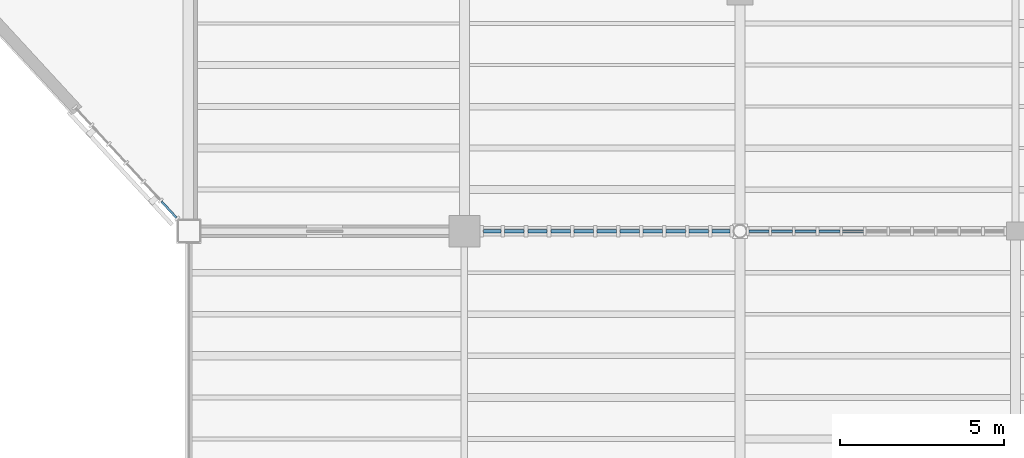
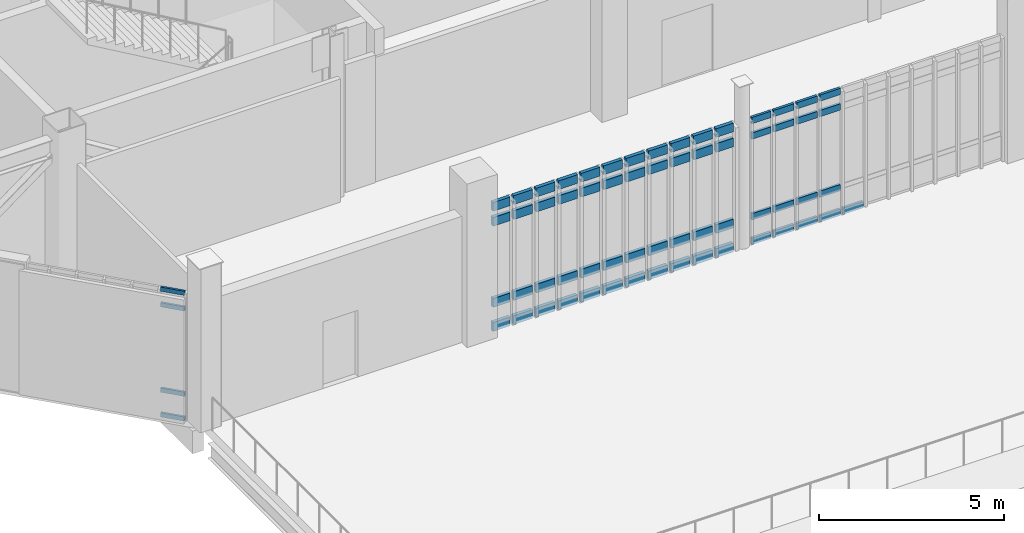
# One storey, part 45 of 127: 65 members, 3 elements without a shape of their own.
"""IFC4 building model written with IfcOpenShell, lengths in metres."""

import ifcopenshell
import ifcopenshell.guid

model = None  # the IFC model being written
_history = None  # IfcOwnerHistory: only IFC2X3 demands one
_inside = {}  # id of a spatial element -> (the spatial element, [elements in it])
_under = {}  # id of a project, library or spatial element -> (it, [spatial elements below it])
_declared = {}  # id of a project -> (the project, [libraries it declares])
_typed = {}  # id of a type object -> (the type object, [elements of that type])
_made_of = {}  # id of a material, layer set ... -> (it, [elements and type objects made of it])


def new_model(schema):
    """Start an empty IFC model of exactly this schema.

    Asked for "IFC4X3", IfcOpenShell would pick the latest addendum, in which some entities
    have other attributes; the version numbers below select the first issue.
    IFC2X3 requires an IfcOwnerHistory on every rooted entity: one is made here for all.
    """
    global model, _history
    if schema == "IFC4X3":
        model = ifcopenshell.file(schema_version=(4, 3, 0, 0))
    else:
        model = ifcopenshell.file(schema=schema)
    _inside.clear()
    _under.clear()
    _declared.clear()
    _typed.clear()
    _made_of.clear()
    _history = None
    if model.schema == "IFC2X3":
        org = make("IfcOrganization", Name="unknown")
        user = make(
            "IfcPersonAndOrganization",
            ThePerson=make("IfcPerson", FamilyName="unknown"),
            TheOrganization=org,
        )
        app = make(
            "IfcApplication",
            ApplicationDeveloper=org,
            Version="unknown",
            ApplicationFullName="unknown",
            ApplicationIdentifier="unknown",
        )
        _history = make(
            "IfcOwnerHistory",
            OwningUser=user,
            OwningApplication=app,
            ChangeAction="ADDED",
            CreationDate=0,
        )
    return model


def make(cls, **values):
    """One entity of the class cls with the attributes given. An attribute that is None is left unset."""
    return model.create_entity(
        cls, **{name: value for name, value in values.items() if value is not None}
    )


def rooted(cls, **values):
    """An entity with a GlobalId (a new one), such as an element, a storey or a relation."""
    return make(cls, GlobalId=ifcopenshell.guid.new(), OwnerHistory=_history, **values)


def si_unit(unit_type, name, prefix=None):
    """IfcSIUnit, for example si_unit("LENGTHUNIT", "METRE", prefix="MILLI")."""
    return make("IfcSIUnit", UnitType=unit_type, Prefix=prefix, Name=name)


def assignment(units):
    """IfcUnitAssignment: the units of a project."""
    return None if units is None else make("IfcUnitAssignment", Units=units)


def point(xyz):
    """IfcCartesianPoint."""
    return None if xyz is None else make("IfcCartesianPoint", Coordinates=xyz)


def direction(xyz):
    """IfcDirection."""
    return None if xyz is None else make("IfcDirection", DirectionRatios=xyz)


def frame(location, z_axis=None, x_axis=None):
    """IfcAxis2Placement3D, a coordinate frame: its origin and axes. An axis left out is left unset."""
    return make(
        "IfcAxis2Placement3D",
        Location=point(location),
        Axis=direction(z_axis),
        RefDirection=direction(x_axis),
    )


def frame_2d(location, x_axis=None):
    """IfcAxis2Placement2D, a coordinate frame in the plane: its origin and x axis."""
    return make(
        "IfcAxis2Placement2D", Location=point(location), RefDirection=direction(x_axis)
    )


def origin():
    """The frame at (0, 0, 0) with its axes left unset."""
    return frame((0.0, 0.0, 0.0))


def origin_2d():
    """The frame at (0, 0) in the plane with its x axis left unset."""
    return frame_2d((0.0, 0.0))


def place(relative_to, where):
    """IfcLocalPlacement: puts the frame where relative to a parent placement (None: the world)."""
    return make(
        "IfcLocalPlacement", PlacementRelTo=relative_to, RelativePlacement=where
    )


def context(
    kind, dimensions, precision=None, world=None, true_north=None, identifier=None
):
    """IfcGeometricRepresentationContext, for example the 3D "Model" context."""
    return make(
        "IfcGeometricRepresentationContext",
        ContextIdentifier=identifier,
        ContextType=kind,
        CoordinateSpaceDimension=dimensions,
        Precision=precision,
        WorldCoordinateSystem=world,
        TrueNorth=true_north,
    )


def subcontext(parent, identifier, kind, view, scale=None):
    """IfcGeometricRepresentationSubContext, for example "Body" below "Model"."""
    return make(
        "IfcGeometricRepresentationSubContext",
        ContextIdentifier=identifier,
        ContextType=kind,
        ParentContext=parent,
        TargetScale=scale,
        TargetView=view,
    )


def project(units=None, contexts=None):
    """IfcProject with its units and contexts."""
    return rooted(
        "IfcProject",
        Name="project",
        RepresentationContexts=contexts,
        UnitsInContext=assignment(units),
    )


def spatial(cls, under=None, at=None, **own):
    """A site, building, storey or space (cls), placed at a placement, below another one or the project."""
    s = rooted(cls, ObjectPlacement=at, **own)
    if under is not None:
        _under.setdefault(under.id(), (under, []))[1].append(s)
    return s


def profile(cls, at=None, kind="AREA", **sizes):
    """A parametric profile (cls). Its sizes go by their IFC names, for example OverallWidth=200.0."""
    return make(cls, ProfileType=kind, Position=at, **sizes)


def rectangle(**sizes):
    """IfcRectangleProfileDef."""
    return profile("IfcRectangleProfileDef", **sizes)


def extrude(swept, where, along, depth):
    """IfcExtrudedAreaSolid: the profile swept, set in the frame where, extruded along a direction by depth."""
    return make(
        "IfcExtrudedAreaSolid",
        SweptArea=swept,
        Position=where,
        ExtrudedDirection=direction(along),
        Depth=depth,
    )


def shape(context_of_items, identifier, shape_type, items):
    """IfcShapeRepresentation: the items that make up one representation, for example the "Body"."""
    return make(
        "IfcShapeRepresentation",
        ContextOfItems=context_of_items,
        RepresentationIdentifier=identifier,
        RepresentationType=shape_type,
        Items=items,
    )


def material(Name=None, Category=None):
    """IfcMaterial."""
    return make("IfcMaterial", Name=Name, Category=Category)


def material_profile(
    of_material, cross_section, Name=None, Category=None, Priority=None
):
    """IfcMaterialProfile: a cross section and its material."""
    return make(
        "IfcMaterialProfile",
        Name=Name,
        Material=of_material,
        Profile=cross_section,
        Priority=Priority,
        Category=Category,
    )


def profile_set(profiles, Name=None, composite=None):
    """IfcMaterialProfileSet."""
    return make(
        "IfcMaterialProfileSet",
        Name=Name,
        MaterialProfiles=profiles,
        CompositeProfile=composite,
    )


def made_of(thing, what):
    """Note that an element or type object is made of a material, layer set ...; save() writes the relation."""
    if what is not None:
        _made_of.setdefault(what.id(), (what, []))[1].append(thing)
    return thing


def type_object(cls, material=None, **own):
    """A type object (cls), such as IfcWallType, which elements share."""
    return made_of(rooted(cls, **own), material)


def element(
    cls,
    number,
    at=None,
    inside=None,
    cuts=None,
    type_object=None,
    material=None,
    context=None,
    identifier="Body",
    shape_type=None,
    held_by="IfcProductDefinitionShape",
    body=None,
    shapes=None,
    **own,
):
    """One element of the class cls, such as IfcWall. Its Tag is "e" and its number.

    at: its placement. inside: the storey or other place that contains it. cuts: it is an
    opening in that element (IfcRelVoidsElement). A single representation is given by context,
    identifier, shape_type and body (its items); several are given by shapes. held_by: the class
    of the entity that holds the representations. save() writes the other relations.
    """
    e = rooted(cls, Tag="e%d" % number, ObjectPlacement=at, **own)
    if body is not None:
        shapes = [shape(context, identifier, shape_type, body)]
    if shapes is not None:
        e.Representation = make(held_by, Representations=shapes)
    if inside is not None:
        _inside.setdefault(inside.id(), (inside, []))[1].append(e)
    if cuts is not None:
        rooted(
            "IfcRelVoidsElement", RelatingBuildingElement=cuts, RelatedOpeningElement=e
        )
    if type_object is not None:
        _typed.setdefault(type_object.id(), (type_object, []))[1].append(e)
    return made_of(e, material)


def aggregate(whole, parts):
    """IfcRelAggregates: a whole, such as a stair, and the parts it consists of."""
    return rooted("IfcRelAggregates", RelatingObject=whole, RelatedObjects=parts)


def save(model, path):
    """Write the relations noted so far, then the file.

    IfcRelAggregates (storeys below a building ...), IfcRelContainedInSpatialStructure (elements
    in a storey), IfcRelDefinesByType, IfcRelAssociatesMaterial and IfcRelDeclares: one each for
    every whole, place, type object, material and project.
    """
    for whole, parts in _under.values():
        aggregate(whole, parts)
    for where, things in _inside.values():
        rooted(
            "IfcRelContainedInSpatialStructure",
            RelatedElements=things,
            RelatingStructure=where,
        )
    for kind, things in _typed.values():
        rooted("IfcRelDefinesByType", RelatedObjects=things, RelatingType=kind)
    for what, things in _made_of.values():
        rooted("IfcRelAssociatesMaterial", RelatedObjects=things, RelatingMaterial=what)
    for by, libraries in _declared.values():
        rooted("IfcRelDeclares", RelatingContext=by, RelatedDefinitions=libraries)
    model.write(path)


model = new_model("IFC4")

# Units and contexts
model_context = context("Model", 3, precision=1e-05, world=origin(), true_north=direction((0.0, 1.0)))
body_context = subcontext(model_context, "Body", "Model", "MODEL_VIEW")
ifc_project = project(units=[si_unit("LENGTHUNIT", "METRE"), si_unit("AREAUNIT", "SQUARE_METRE"), si_unit("VOLUMEUNIT", "CUBIC_METRE"), si_unit("PLANEANGLEUNIT", "RADIAN"), si_unit("MASSUNIT", "GRAM", prefix="KILO")], contexts=[model_context])

# Site, building, storey
site_placement = place(None, origin())
site = spatial("IfcSite", under=ifc_project, at=site_placement, CompositionType="ELEMENT")
building_placement = place(site_placement, origin())
building = spatial("IfcBuilding", under=site, at=building_placement, Name="Larkvane Passage Sports Hall", CompositionType="ELEMENT")
storey_placement = place(building_placement, frame((0.0, 0.0, 5.39990234375)))
storey = spatial("IfcBuildingStorey", under=building, at=storey_placement, Name="L01", CompositionType="ELEMENT", Elevation=5.39990234375)

# Curtain wall, members
ifc_material_1 = material(Name="Thermally broken aluminium and low-E glazing", Category="aluminium")
curtain_wall_type_1 = type_object("IfcCurtainWallType", Name="CW-CLINIC", PredefinedType="USERDEFINED", material=ifc_material_1)
curtain_wall_1_placement = place(storey_placement, origin())
curtain_wall_1 = element("IfcCurtainWall", 1, at=curtain_wall_1_placement, inside=storey, type_object=curtain_wall_type_1, Name="Curtain wall CW5-L01-031", ObjectType="UNITISED CURTAIN WALL", PredefinedType="USERDEFINED")
ifc_material_2 = material(Name="Anodised aluminium 6063-T6", Category="aluminium")
ifc_material_profile_1 = material_profile(ifc_material_2, rectangle(XDim=0.110107421875, YDim=0.2900390625, at=origin_2d()), Name="ALU-TRN-110x290")
ifc_profile_set_1 = profile_set([ifc_material_profile_1], Name="Anodised aluminium 6063-T6")
member_type_1 = type_object("IfcMemberType", Name="CW-TRN-110x290", PredefinedType="USERDEFINED", material=ifc_profile_set_1)
member_1_placement = place(storey_placement, frame((51.290771484375, 15.199951171875, 0.05517578125), z_axis=(-1.0, 0.0, 0.0), x_axis=(0.0, -1.0, 0.0)))
member_1 = element("IfcMember", 2, at=member_1_placement, type_object=member_type_1, Name="CW-05 transom 1.1", ObjectType="TRANSOM", PredefinedType="USERDEFINED", context=body_context, shape_type="SweptSolid", body=[
    extrude(rectangle(XDim=0.110107421875, YDim=0.2900390625, at=origin_2d()), origin(), (0.0, 0.0, 1.0), 0.53759765625),
])
member_2_placement = place(storey_placement, frame((51.290771484375, 15.199951171875, 0.85009765625), z_axis=(-1.0, 0.0, 0.0), x_axis=(0.0, -1.0, 0.0)))
member_2 = element("IfcMember", 3, at=member_2_placement, type_object=member_type_1, Name="CW-05 transom 1.2", ObjectType="TRANSOM", PredefinedType="USERDEFINED", context=body_context, shape_type="SweptSolid", body=[
    extrude(rectangle(XDim=0.110107421875, YDim=0.2900390625, at=origin_2d()), origin(), (0.0, 0.0, 1.0), 0.53759765625),
])
member_3_placement = place(storey_placement, frame((51.290771484375, 15.199951171875, 3.528076171875), z_axis=(-1.0, 0.0, 0.0), x_axis=(0.0, -1.0, 0.0)))
member_3 = element("IfcMember", 4, at=member_3_placement, type_object=member_type_1, Name="CW-05 transom 1.3", ObjectType="TRANSOM", PredefinedType="USERDEFINED", context=body_context, shape_type="SweptSolid", body=[
    extrude(rectangle(XDim=0.110107421875, YDim=0.2900390625, at=origin_2d()), origin(), (0.0, 0.0, 1.0), 0.53759765625),
])
member_4_placement = place(storey_placement, frame((51.290771484375, 15.199951171875, 4.023193359375), z_axis=(-1.0, 0.0, 0.0), x_axis=(0.0, -1.0, 0.0)))
member_4 = element("IfcMember", 5, at=member_4_placement, type_object=member_type_1, Name="CW-05 transom 1.4", ObjectType="TRANSOM", PredefinedType="USERDEFINED", context=body_context, shape_type="SweptSolid", body=[
    extrude(rectangle(XDim=0.110107421875, YDim=0.2900390625, at=origin_2d()), origin(), (0.0, 0.0, 1.0), 0.53759765625),
])
member_5_placement = place(storey_placement, frame((50.64306640625, 15.199951171875, 0.05517578125), z_axis=(-1.0, 0.0, 0.0), x_axis=(0.0, -1.0, 0.0)))
member_5 = element("IfcMember", 6, at=member_5_placement, type_object=member_type_1, Name="CW-05 transom 2.1", ObjectType="TRANSOM", PredefinedType="USERDEFINED", context=body_context, shape_type="SweptSolid", body=[
    extrude(rectangle(XDim=0.110107421875, YDim=0.2900390625, at=origin_2d()), origin(), (0.0, 0.0, 1.0), 0.5927734375),
])
member_6_placement = place(storey_placement, frame((50.64306640625, 15.199951171875, 0.85009765625), z_axis=(-1.0, 0.0, 0.0), x_axis=(0.0, -1.0, 0.0)))
member_6 = element("IfcMember", 7, at=member_6_placement, type_object=member_type_1, Name="CW-05 transom 2.2", ObjectType="TRANSOM", PredefinedType="USERDEFINED", context=body_context, shape_type="SweptSolid", body=[
    extrude(rectangle(XDim=0.110107421875, YDim=0.2900390625, at=origin_2d()), origin(), (0.0, 0.0, 1.0), 0.5927734375),
])
member_7_placement = place(storey_placement, frame((50.64306640625, 15.199951171875, 3.528076171875), z_axis=(-1.0, 0.0, 0.0), x_axis=(0.0, -1.0, 0.0)))
member_7 = element("IfcMember", 8, at=member_7_placement, type_object=member_type_1, Name="CW-05 transom 2.3", ObjectType="TRANSOM", PredefinedType="USERDEFINED", context=body_context, shape_type="SweptSolid", body=[
    extrude(rectangle(XDim=0.110107421875, YDim=0.2900390625, at=origin_2d()), origin(), (0.0, 0.0, 1.0), 0.5927734375),
])
member_8_placement = place(storey_placement, frame((50.64306640625, 15.199951171875, 4.023193359375), z_axis=(-1.0, 0.0, 0.0), x_axis=(0.0, -1.0, 0.0)))
member_8 = element("IfcMember", 9, at=member_8_placement, type_object=member_type_1, Name="CW-05 transom 2.4", ObjectType="TRANSOM", PredefinedType="USERDEFINED", context=body_context, shape_type="SweptSolid", body=[
    extrude(rectangle(XDim=0.110107421875, YDim=0.2900390625, at=origin_2d()), origin(), (0.0, 0.0, 1.0), 0.5927734375),
])
member_9_placement = place(storey_placement, frame((49.9404296875, 15.199951171875, 0.05517578125), z_axis=(-1.0, 0.0, 0.0), x_axis=(0.0, -1.0, 0.0)))
member_9 = element("IfcMember", 10, at=member_9_placement, type_object=member_type_1, Name="CW-05 transom 3.1", ObjectType="TRANSOM", PredefinedType="USERDEFINED", context=body_context, shape_type="SweptSolid", body=[
    extrude(rectangle(XDim=0.110107421875, YDim=0.2900390625, at=origin_2d()), origin(), (0.0, 0.0, 1.0), 0.5927734375),
])
member_10_placement = place(storey_placement, frame((49.9404296875, 15.199951171875, 0.85009765625), z_axis=(-1.0, 0.0, 0.0), x_axis=(0.0, -1.0, 0.0)))
member_10 = element("IfcMember", 11, at=member_10_placement, type_object=member_type_1, Name="CW-05 transom 3.2", ObjectType="TRANSOM", PredefinedType="USERDEFINED", context=body_context, shape_type="SweptSolid", body=[
    extrude(rectangle(XDim=0.110107421875, YDim=0.2900390625, at=origin_2d()), origin(), (0.0, 0.0, 1.0), 0.5927734375),
])
member_11_placement = place(storey_placement, frame((49.9404296875, 15.199951171875, 3.528076171875), z_axis=(-1.0, 0.0, 0.0), x_axis=(0.0, -1.0, 0.0)))
member_11 = element("IfcMember", 12, at=member_11_placement, type_object=member_type_1, Name="CW-05 transom 3.3", ObjectType="TRANSOM", PredefinedType="USERDEFINED", context=body_context, shape_type="SweptSolid", body=[
    extrude(rectangle(XDim=0.110107421875, YDim=0.2900390625, at=origin_2d()), origin(), (0.0, 0.0, 1.0), 0.5927734375),
])
member_12_placement = place(storey_placement, frame((49.9404296875, 15.199951171875, 4.023193359375), z_axis=(-1.0, 0.0, 0.0), x_axis=(0.0, -1.0, 0.0)))
member_12 = element("IfcMember", 13, at=member_12_placement, type_object=member_type_1, Name="CW-05 transom 3.4", ObjectType="TRANSOM", PredefinedType="USERDEFINED", context=body_context, shape_type="SweptSolid", body=[
    extrude(rectangle(XDim=0.110107421875, YDim=0.2900390625, at=origin_2d()), origin(), (0.0, 0.0, 1.0), 0.5927734375),
])
member_13_placement = place(storey_placement, frame((49.23779296875, 15.199951171875, 0.05517578125), z_axis=(-1.0, 0.0, 0.0), x_axis=(0.0, -1.0, 0.0)))
member_13 = element("IfcMember", 14, at=member_13_placement, type_object=member_type_1, Name="CW-05 transom 4.1", ObjectType="TRANSOM", PredefinedType="USERDEFINED", context=body_context, shape_type="SweptSolid", body=[
    extrude(rectangle(XDim=0.110107421875, YDim=0.2900390625, at=origin_2d()), origin(), (0.0, 0.0, 1.0), 0.5927734375),
])
member_14_placement = place(storey_placement, frame((49.23779296875, 15.199951171875, 0.85009765625), z_axis=(-1.0, 0.0, 0.0), x_axis=(0.0, -1.0, 0.0)))
member_14 = element("IfcMember", 15, at=member_14_placement, type_object=member_type_1, Name="CW-05 transom 4.2", ObjectType="TRANSOM", PredefinedType="USERDEFINED", context=body_context, shape_type="SweptSolid", body=[
    extrude(rectangle(XDim=0.110107421875, YDim=0.2900390625, at=origin_2d()), origin(), (0.0, 0.0, 1.0), 0.5927734375),
])
member_15_placement = place(storey_placement, frame((49.23779296875, 15.199951171875, 3.528076171875), z_axis=(-1.0, 0.0, 0.0), x_axis=(0.0, -1.0, 0.0)))
member_15 = element("IfcMember", 16, at=member_15_placement, type_object=member_type_1, Name="CW-05 transom 4.3", ObjectType="TRANSOM", PredefinedType="USERDEFINED", context=body_context, shape_type="SweptSolid", body=[
    extrude(rectangle(XDim=0.110107421875, YDim=0.2900390625, at=origin_2d()), origin(), (0.0, 0.0, 1.0), 0.5927734375),
])
member_16_placement = place(storey_placement, frame((49.23779296875, 15.199951171875, 4.023193359375), z_axis=(-1.0, 0.0, 0.0), x_axis=(0.0, -1.0, 0.0)))
member_16 = element("IfcMember", 17, at=member_16_placement, type_object=member_type_1, Name="CW-05 transom 4.4", ObjectType="TRANSOM", PredefinedType="USERDEFINED", context=body_context, shape_type="SweptSolid", body=[
    extrude(rectangle(XDim=0.110107421875, YDim=0.2900390625, at=origin_2d()), origin(), (0.0, 0.0, 1.0), 0.5927734375),
])
member_17_placement = place(storey_placement, frame((48.534912109375, 15.199951171875, 0.05517578125), z_axis=(-1.0, 0.0, 0.0), x_axis=(0.0, -1.0, 0.0)))
member_17 = element("IfcMember", 18, at=member_17_placement, type_object=member_type_1, Name="CW-05 transom 5.1", ObjectType="TRANSOM", PredefinedType="USERDEFINED", context=body_context, shape_type="SweptSolid", body=[
    extrude(rectangle(XDim=0.110107421875, YDim=0.2900390625, at=origin_2d()), origin(), (0.0, 0.0, 1.0), 0.5927734375),
])
member_18_placement = place(storey_placement, frame((48.534912109375, 15.199951171875, 0.85009765625), z_axis=(-1.0, 0.0, 0.0), x_axis=(0.0, -1.0, 0.0)))
member_18 = element("IfcMember", 19, at=member_18_placement, type_object=member_type_1, Name="CW-05 transom 5.2", ObjectType="TRANSOM", PredefinedType="USERDEFINED", context=body_context, shape_type="SweptSolid", body=[
    extrude(rectangle(XDim=0.110107421875, YDim=0.2900390625, at=origin_2d()), origin(), (0.0, 0.0, 1.0), 0.5927734375),
])
member_19_placement = place(storey_placement, frame((48.534912109375, 15.199951171875, 3.528076171875), z_axis=(-1.0, 0.0, 0.0), x_axis=(0.0, -1.0, 0.0)))
member_19 = element("IfcMember", 20, at=member_19_placement, type_object=member_type_1, Name="CW-05 transom 5.3", ObjectType="TRANSOM", PredefinedType="USERDEFINED", context=body_context, shape_type="SweptSolid", body=[
    extrude(rectangle(XDim=0.110107421875, YDim=0.2900390625, at=origin_2d()), origin(), (0.0, 0.0, 1.0), 0.5927734375),
])
member_20_placement = place(storey_placement, frame((48.534912109375, 15.199951171875, 4.023193359375), z_axis=(-1.0, 0.0, 0.0), x_axis=(0.0, -1.0, 0.0)))
member_20 = element("IfcMember", 21, at=member_20_placement, type_object=member_type_1, Name="CW-05 transom 5.4", ObjectType="TRANSOM", PredefinedType="USERDEFINED", context=body_context, shape_type="SweptSolid", body=[
    extrude(rectangle(XDim=0.110107421875, YDim=0.2900390625, at=origin_2d()), origin(), (0.0, 0.0, 1.0), 0.5927734375),
])
member_21_placement = place(storey_placement, frame((47.832275390625, 15.199951171875, 0.05517578125), z_axis=(-1.0, 0.0, 0.0), x_axis=(0.0, -1.0, 0.0)))
member_21 = element("IfcMember", 22, at=member_21_placement, type_object=member_type_1, Name="CW-05 transom 6.1", ObjectType="TRANSOM", PredefinedType="USERDEFINED", context=body_context, shape_type="SweptSolid", body=[
    extrude(rectangle(XDim=0.110107421875, YDim=0.2900390625, at=origin_2d()), origin(), (0.0, 0.0, 1.0), 0.5927734375),
])
member_22_placement = place(storey_placement, frame((47.832275390625, 15.199951171875, 0.85009765625), z_axis=(-1.0, 0.0, 0.0), x_axis=(0.0, -1.0, 0.0)))
member_22 = element("IfcMember", 23, at=member_22_placement, type_object=member_type_1, Name="CW-05 transom 6.2", ObjectType="TRANSOM", PredefinedType="USERDEFINED", context=body_context, shape_type="SweptSolid", body=[
    extrude(rectangle(XDim=0.110107421875, YDim=0.2900390625, at=origin_2d()), origin(), (0.0, 0.0, 1.0), 0.5927734375),
])
member_23_placement = place(storey_placement, frame((47.832275390625, 15.199951171875, 3.528076171875), z_axis=(-1.0, 0.0, 0.0), x_axis=(0.0, -1.0, 0.0)))
member_23 = element("IfcMember", 24, at=member_23_placement, type_object=member_type_1, Name="CW-05 transom 6.3", ObjectType="TRANSOM", PredefinedType="USERDEFINED", context=body_context, shape_type="SweptSolid", body=[
    extrude(rectangle(XDim=0.110107421875, YDim=0.2900390625, at=origin_2d()), origin(), (0.0, 0.0, 1.0), 0.5927734375),
])
member_24_placement = place(storey_placement, frame((47.832275390625, 15.199951171875, 4.023193359375), z_axis=(-1.0, 0.0, 0.0), x_axis=(0.0, -1.0, 0.0)))
member_24 = element("IfcMember", 25, at=member_24_placement, type_object=member_type_1, Name="CW-05 transom 6.4", ObjectType="TRANSOM", PredefinedType="USERDEFINED", context=body_context, shape_type="SweptSolid", body=[
    extrude(rectangle(XDim=0.110107421875, YDim=0.2900390625, at=origin_2d()), origin(), (0.0, 0.0, 1.0), 0.5927734375),
])
member_25_placement = place(storey_placement, frame((47.129638671875, 15.199951171875, 0.05517578125), z_axis=(-1.0, 0.0, 0.0), x_axis=(0.0, -1.0, 0.0)))
member_25 = element("IfcMember", 26, at=member_25_placement, type_object=member_type_1, Name="CW-05 transom 7.1", ObjectType="TRANSOM", PredefinedType="USERDEFINED", context=body_context, shape_type="SweptSolid", body=[
    extrude(rectangle(XDim=0.110107421875, YDim=0.2900390625, at=origin_2d()), origin(), (0.0, 0.0, 1.0), 0.5927734375),
])
member_26_placement = place(storey_placement, frame((47.129638671875, 15.199951171875, 0.85009765625), z_axis=(-1.0, 0.0, 0.0), x_axis=(0.0, -1.0, 0.0)))
member_26 = element("IfcMember", 27, at=member_26_placement, type_object=member_type_1, Name="CW-05 transom 7.2", ObjectType="TRANSOM", PredefinedType="USERDEFINED", context=body_context, shape_type="SweptSolid", body=[
    extrude(rectangle(XDim=0.110107421875, YDim=0.2900390625, at=origin_2d()), origin(), (0.0, 0.0, 1.0), 0.5927734375),
])
member_27_placement = place(storey_placement, frame((47.129638671875, 15.199951171875, 3.528076171875), z_axis=(-1.0, 0.0, 0.0), x_axis=(0.0, -1.0, 0.0)))
member_27 = element("IfcMember", 28, at=member_27_placement, type_object=member_type_1, Name="CW-05 transom 7.3", ObjectType="TRANSOM", PredefinedType="USERDEFINED", context=body_context, shape_type="SweptSolid", body=[
    extrude(rectangle(XDim=0.110107421875, YDim=0.2900390625, at=origin_2d()), origin(), (0.0, 0.0, 1.0), 0.5927734375),
])
member_28_placement = place(storey_placement, frame((47.129638671875, 15.199951171875, 4.023193359375), z_axis=(-1.0, 0.0, 0.0), x_axis=(0.0, -1.0, 0.0)))
member_28 = element("IfcMember", 29, at=member_28_placement, type_object=member_type_1, Name="CW-05 transom 7.4", ObjectType="TRANSOM", PredefinedType="USERDEFINED", context=body_context, shape_type="SweptSolid", body=[
    extrude(rectangle(XDim=0.110107421875, YDim=0.2900390625, at=origin_2d()), origin(), (0.0, 0.0, 1.0), 0.5927734375),
])
member_29_placement = place(storey_placement, frame((46.4267578125, 15.199951171875, 0.05517578125), z_axis=(-1.0, 0.0, 0.0), x_axis=(0.0, -1.0, 0.0)))
member_29 = element("IfcMember", 30, at=member_29_placement, type_object=member_type_1, Name="CW-05 transom 8.1", ObjectType="TRANSOM", PredefinedType="USERDEFINED", context=body_context, shape_type="SweptSolid", body=[
    extrude(rectangle(XDim=0.110107421875, YDim=0.2900390625, at=origin_2d()), origin(), (0.0, 0.0, 1.0), 0.592529296875),
])
member_30_placement = place(storey_placement, frame((46.4267578125, 15.199951171875, 0.85009765625), z_axis=(-1.0, 0.0, 0.0), x_axis=(0.0, -1.0, 0.0)))
member_30 = element("IfcMember", 31, at=member_30_placement, type_object=member_type_1, Name="CW-05 transom 8.2", ObjectType="TRANSOM", PredefinedType="USERDEFINED", context=body_context, shape_type="SweptSolid", body=[
    extrude(rectangle(XDim=0.110107421875, YDim=0.2900390625, at=origin_2d()), origin(), (0.0, 0.0, 1.0), 0.592529296875),
])
member_31_placement = place(storey_placement, frame((46.4267578125, 15.199951171875, 3.528076171875), z_axis=(-1.0, 0.0, 0.0), x_axis=(0.0, -1.0, 0.0)))
member_31 = element("IfcMember", 32, at=member_31_placement, type_object=member_type_1, Name="CW-05 transom 8.3", ObjectType="TRANSOM", PredefinedType="USERDEFINED", context=body_context, shape_type="SweptSolid", body=[
    extrude(rectangle(XDim=0.110107421875, YDim=0.2900390625, at=origin_2d()), origin(), (0.0, 0.0, 1.0), 0.592529296875),
])
member_32_placement = place(storey_placement, frame((46.4267578125, 15.199951171875, 4.023193359375), z_axis=(-1.0, 0.0, 0.0), x_axis=(0.0, -1.0, 0.0)))
member_32 = element("IfcMember", 33, at=member_32_placement, type_object=member_type_1, Name="CW-05 transom 8.4", ObjectType="TRANSOM", PredefinedType="USERDEFINED", context=body_context, shape_type="SweptSolid", body=[
    extrude(rectangle(XDim=0.110107421875, YDim=0.2900390625, at=origin_2d()), origin(), (0.0, 0.0, 1.0), 0.592529296875),
])
member_33_placement = place(storey_placement, frame((45.72412109375, 15.199951171875, 0.05517578125), z_axis=(-1.0, 0.0, 0.0), x_axis=(0.0, -1.0, 0.0)))
member_33 = element("IfcMember", 34, at=member_33_placement, type_object=member_type_1, Name="CW-05 transom 9.1", ObjectType="TRANSOM", PredefinedType="USERDEFINED", context=body_context, shape_type="SweptSolid", body=[
    extrude(rectangle(XDim=0.110107421875, YDim=0.2900390625, at=origin_2d()), origin(), (0.0, 0.0, 1.0), 0.5927734375),
])
member_34_placement = place(storey_placement, frame((45.72412109375, 15.199951171875, 0.85009765625), z_axis=(-1.0, 0.0, 0.0), x_axis=(0.0, -1.0, 0.0)))
member_34 = element("IfcMember", 35, at=member_34_placement, type_object=member_type_1, Name="CW-05 transom 9.2", ObjectType="TRANSOM", PredefinedType="USERDEFINED", context=body_context, shape_type="SweptSolid", body=[
    extrude(rectangle(XDim=0.110107421875, YDim=0.2900390625, at=origin_2d()), origin(), (0.0, 0.0, 1.0), 0.5927734375),
])
member_35_placement = place(storey_placement, frame((45.72412109375, 15.199951171875, 3.528076171875), z_axis=(-1.0, 0.0, 0.0), x_axis=(0.0, -1.0, 0.0)))
member_35 = element("IfcMember", 36, at=member_35_placement, type_object=member_type_1, Name="CW-05 transom 9.3", ObjectType="TRANSOM", PredefinedType="USERDEFINED", context=body_context, shape_type="SweptSolid", body=[
    extrude(rectangle(XDim=0.110107421875, YDim=0.2900390625, at=origin_2d()), origin(), (0.0, 0.0, 1.0), 0.5927734375),
])
member_36_placement = place(storey_placement, frame((45.72412109375, 15.199951171875, 4.023193359375), z_axis=(-1.0, 0.0, 0.0), x_axis=(0.0, -1.0, 0.0)))
member_36 = element("IfcMember", 37, at=member_36_placement, type_object=member_type_1, Name="CW-05 transom 9.4", ObjectType="TRANSOM", PredefinedType="USERDEFINED", context=body_context, shape_type="SweptSolid", body=[
    extrude(rectangle(XDim=0.110107421875, YDim=0.2900390625, at=origin_2d()), origin(), (0.0, 0.0, 1.0), 0.5927734375),
])
member_37_placement = place(storey_placement, frame((45.021484375, 15.199951171875, 0.05517578125), z_axis=(-1.0, 0.0, 0.0), x_axis=(0.0, -1.0, 0.0)))
member_37 = element("IfcMember", 38, at=member_37_placement, type_object=member_type_1, Name="CW-05 transom 10.1", ObjectType="TRANSOM", PredefinedType="USERDEFINED", context=body_context, shape_type="SweptSolid", body=[
    extrude(rectangle(XDim=0.110107421875, YDim=0.2900390625, at=origin_2d()), origin(), (0.0, 0.0, 1.0), 0.5927734375),
])
member_38_placement = place(storey_placement, frame((45.021484375, 15.199951171875, 0.85009765625), z_axis=(-1.0, 0.0, 0.0), x_axis=(0.0, -1.0, 0.0)))
member_38 = element("IfcMember", 39, at=member_38_placement, type_object=member_type_1, Name="CW-05 transom 10.2", ObjectType="TRANSOM", PredefinedType="USERDEFINED", context=body_context, shape_type="SweptSolid", body=[
    extrude(rectangle(XDim=0.110107421875, YDim=0.2900390625, at=origin_2d()), origin(), (0.0, 0.0, 1.0), 0.5927734375),
])
member_39_placement = place(storey_placement, frame((45.021484375, 15.199951171875, 3.528076171875), z_axis=(-1.0, 0.0, 0.0), x_axis=(0.0, -1.0, 0.0)))
member_39 = element("IfcMember", 40, at=member_39_placement, type_object=member_type_1, Name="CW-05 transom 10.3", ObjectType="TRANSOM", PredefinedType="USERDEFINED", context=body_context, shape_type="SweptSolid", body=[
    extrude(rectangle(XDim=0.110107421875, YDim=0.2900390625, at=origin_2d()), origin(), (0.0, 0.0, 1.0), 0.5927734375),
])
member_40_placement = place(storey_placement, frame((45.021484375, 15.199951171875, 4.023193359375), z_axis=(-1.0, 0.0, 0.0), x_axis=(0.0, -1.0, 0.0)))
member_40 = element("IfcMember", 41, at=member_40_placement, type_object=member_type_1, Name="CW-05 transom 10.4", ObjectType="TRANSOM", PredefinedType="USERDEFINED", context=body_context, shape_type="SweptSolid", body=[
    extrude(rectangle(XDim=0.110107421875, YDim=0.2900390625, at=origin_2d()), origin(), (0.0, 0.0, 1.0), 0.5927734375),
])
member_41_placement = place(storey_placement, frame((44.318603515625, 15.199951171875, 0.05517578125), z_axis=(-1.0, 0.0, 0.0), x_axis=(0.0, -1.0, 0.0)))
member_41 = element("IfcMember", 42, at=member_41_placement, type_object=member_type_1, Name="CW-05 transom 11.1", ObjectType="TRANSOM", PredefinedType="USERDEFINED", context=body_context, shape_type="SweptSolid", body=[
    extrude(rectangle(XDim=0.110107421875, YDim=0.2900390625, at=origin_2d()), origin(), (0.0, 0.0, 1.0), 0.53759765625),
])
member_42_placement = place(storey_placement, frame((44.318603515625, 15.199951171875, 0.85009765625), z_axis=(-1.0, 0.0, 0.0), x_axis=(0.0, -1.0, 0.0)))
member_42 = element("IfcMember", 43, at=member_42_placement, type_object=member_type_1, Name="CW-05 transom 11.2", ObjectType="TRANSOM", PredefinedType="USERDEFINED", context=body_context, shape_type="SweptSolid", body=[
    extrude(rectangle(XDim=0.110107421875, YDim=0.2900390625, at=origin_2d()), origin(), (0.0, 0.0, 1.0), 0.53759765625),
])
member_43_placement = place(storey_placement, frame((44.318603515625, 15.199951171875, 3.528076171875), z_axis=(-1.0, 0.0, 0.0), x_axis=(0.0, -1.0, 0.0)))
member_43 = element("IfcMember", 44, at=member_43_placement, type_object=member_type_1, Name="CW-05 transom 11.3", ObjectType="TRANSOM", PredefinedType="USERDEFINED", context=body_context, shape_type="SweptSolid", body=[
    extrude(rectangle(XDim=0.110107421875, YDim=0.2900390625, at=origin_2d()), origin(), (0.0, 0.0, 1.0), 0.53759765625),
])
member_44_placement = place(storey_placement, frame((44.318603515625, 15.199951171875, 4.023193359375), z_axis=(-1.0, 0.0, 0.0), x_axis=(0.0, -1.0, 0.0)))
member_44 = element("IfcMember", 45, at=member_44_placement, type_object=member_type_1, Name="CW-05 transom 11.4", ObjectType="TRANSOM", PredefinedType="USERDEFINED", context=body_context, shape_type="SweptSolid", body=[
    extrude(rectangle(XDim=0.110107421875, YDim=0.2900390625, at=origin_2d()), origin(), (0.0, 0.0, 1.0), 0.53759765625),
])
aggregate(curtain_wall_1, [member_1, member_2, member_3, member_4, member_5, member_6, member_7, member_8, member_9, member_10, member_11, member_12, member_13, member_14, member_15, member_16, member_17, member_18, member_19, member_20, member_21, member_22, member_23, member_24, member_25, member_26, member_27, member_28, member_29, member_30, member_31, member_32, member_33, member_34, member_35, member_36, member_37, member_38, member_39, member_40, member_41, member_42, member_43, member_44])

curtain_wall_type_2 = type_object("IfcCurtainWallType", Name="CW-UNIT-COURT", PredefinedType="USERDEFINED", material=ifc_material_1)
curtain_wall_2_placement = place(storey_placement, origin())
curtain_wall_2 = element("IfcCurtainWall", 46, at=curtain_wall_2_placement, inside=storey, type_object=curtain_wall_type_2, Name="Curtain wall CW5-L01-032", ObjectType="UNITISED CURTAIN WALL", PredefinedType="USERDEFINED")
ifc_material_profile_2 = material_profile(ifc_material_2, rectangle(XDim=0.06494140625, YDim=0.139892578125, at=origin_2d()), Name="ALU-TRN-65x140")
ifc_profile_set_2 = profile_set([ifc_material_profile_2], Name="Anodised aluminium 6063-T6")
member_type_2 = type_object("IfcMemberType", Name="CW-TRN-65x140", PredefinedType="USERDEFINED", material=ifc_profile_set_2)
member_45_placement = place(storey_placement, frame((34.423583984375, 15.608642578125, 0.03271484375), z_axis=(-0.677506344098, 0.735516929586, 0.0), x_axis=(-0.735516929586, -0.677506344098, 0.0)))
member_45 = element("IfcMember", 47, at=member_45_placement, type_object=member_type_2, Name="CW-01 transom 1.1", ObjectType="TRANSOM", PredefinedType="USERDEFINED", context=body_context, shape_type="SweptSolid", body=[
    extrude(rectangle(XDim=0.06494140625, YDim=0.139892578125, at=origin_2d()), origin(), (0.0, 0.0, 1.0), 0.681884765625),
])
member_46_placement = place(storey_placement, frame((34.423583984375, 15.608642578125, 0.85009765625), z_axis=(-0.677506344098, 0.735516929586, 0.0), x_axis=(-0.735516929586, -0.677506344098, 0.0)))
member_46 = element("IfcMember", 48, at=member_46_placement, type_object=member_type_2, Name="CW-01 transom 1.2", ObjectType="TRANSOM", PredefinedType="USERDEFINED", context=body_context, shape_type="SweptSolid", body=[
    extrude(rectangle(XDim=0.06494140625, YDim=0.139892578125, at=origin_2d()), origin(), (0.0, 0.0, 1.0), 0.681884765625),
])
member_47_placement = place(storey_placement, frame((34.423583984375, 15.608642578125, 3.668212890625), z_axis=(-0.677506344098, 0.735516929586, 0.0), x_axis=(-0.735516929586, -0.677506344098, 0.0)))
member_47 = element("IfcMember", 49, at=member_47_placement, type_object=member_type_2, Name="CW-01 transom 1.3", ObjectType="TRANSOM", PredefinedType="USERDEFINED", context=body_context, shape_type="SweptSolid", body=[
    extrude(rectangle(XDim=0.06494140625, YDim=0.139892578125, at=origin_2d()), origin(), (0.0, 0.0, 1.0), 0.681884765625),
])
member_48_placement = place(storey_placement, frame((34.423583984375, 15.608642578125, 4.185546875), z_axis=(-0.677506344098, 0.735516929586, 0.0), x_axis=(-0.735516929586, -0.677506344098, 0.0)))
member_48 = element("IfcMember", 50, at=member_48_placement, type_object=member_type_2, Name="CW-01 transom 1.4", ObjectType="TRANSOM", PredefinedType="USERDEFINED", context=body_context, shape_type="SweptSolid", body=[
    extrude(rectangle(XDim=0.06494140625, YDim=0.139892578125, at=origin_2d()), origin(), (0.0, 0.0, 1.0), 0.681884765625),
])
aggregate(curtain_wall_2, [member_45, member_46, member_47, member_48])

curtain_wall_type_3 = type_object("IfcCurtainWallType", Name="CW-STICK-FOYER", PredefinedType="USERDEFINED", material=ifc_material_1)
curtain_wall_3_placement = place(storey_placement, origin())
curtain_wall_3 = element("IfcCurtainWall", 51, at=curtain_wall_3_placement, inside=storey, type_object=curtain_wall_type_3, Name="Curtain wall CW5-L01-030", ObjectType="STICK CURTAIN WALL", PredefinedType="USERDEFINED")
ifc_material_profile_3 = material_profile(ifc_material_2, rectangle(XDim=0.080078125, YDim=0.2099609375, at=origin_2d()), Name="ALU-TRN-80x210")
ifc_profile_set_3 = profile_set([ifc_material_profile_3], Name="Anodised aluminium 6063-T6")
member_type_3 = type_object("IfcMemberType", Name="CW-TRN-80x210", PredefinedType="USERDEFINED", material=ifc_profile_set_3)
member_49_placement = place(storey_placement, frame((55.36376953125, 15.199951171875, 0.0400390625), z_axis=(-1.0, 0.0, 0.0), x_axis=(0.0, -1.0, 0.0)))
member_49 = element("IfcMember", 52, at=member_49_placement, type_object=member_type_3, Name="CW-03 transom 7.1", ObjectType="TRANSOM", PredefinedType="USERDEFINED", context=body_context, shape_type="SweptSolid", body=[
    extrude(rectangle(XDim=0.080078125, YDim=0.2099609375, at=origin_2d()), origin(), (0.0, 0.0, 1.0), 0.64111328125),
])
member_50_placement = place(storey_placement, frame((54.642822265625, 15.199951171875, 0.0400390625), z_axis=(-1.0, 0.0, 0.0), x_axis=(0.0, -1.0, 0.0)))
member_50 = element("IfcMember", 53, at=member_50_placement, type_object=member_type_3, Name="CW-03 transom 8.1", ObjectType="TRANSOM", PredefinedType="USERDEFINED", context=body_context, shape_type="SweptSolid", body=[
    extrude(rectangle(XDim=0.080078125, YDim=0.2099609375, at=origin_2d()), origin(), (0.0, 0.0, 1.0), 0.640869140625),
])
member_51_placement = place(storey_placement, frame((54.642822265625, 15.199951171875, 0.85009765625), z_axis=(-1.0, 0.0, 0.0), x_axis=(0.0, -1.0, 0.0)))
member_51 = element("IfcMember", 54, at=member_51_placement, type_object=member_type_3, Name="CW-03 transom 8.2", ObjectType="TRANSOM", PredefinedType="USERDEFINED", context=body_context, shape_type="SweptSolid", body=[
    extrude(rectangle(XDim=0.080078125, YDim=0.2099609375, at=origin_2d()), origin(), (0.0, 0.0, 1.0), 0.640869140625),
])
member_52_placement = place(storey_placement, frame((54.642822265625, 15.199951171875, 3.51806640625), z_axis=(-1.0, 0.0, 0.0), x_axis=(0.0, -1.0, 0.0)))
member_52 = element("IfcMember", 55, at=member_52_placement, type_object=member_type_3, Name="CW-03 transom 8.3", ObjectType="TRANSOM", PredefinedType="USERDEFINED", context=body_context, shape_type="SweptSolid", body=[
    extrude(rectangle(XDim=0.080078125, YDim=0.2099609375, at=origin_2d()), origin(), (0.0, 0.0, 1.0), 0.640869140625),
])
member_53_placement = place(storey_placement, frame((54.642822265625, 15.199951171875, 4.028076171875), z_axis=(-1.0, 0.0, 0.0), x_axis=(0.0, -1.0, 0.0)))
member_53 = element("IfcMember", 56, at=member_53_placement, type_object=member_type_3, Name="CW-03 transom 8.4", ObjectType="TRANSOM", PredefinedType="USERDEFINED", context=body_context, shape_type="SweptSolid", body=[
    extrude(rectangle(XDim=0.080078125, YDim=0.2099609375, at=origin_2d()), origin(), (0.0, 0.0, 1.0), 0.640869140625),
])
member_54_placement = place(storey_placement, frame((53.921875, 15.199951171875, 0.0400390625), z_axis=(-1.0, 0.0, 0.0), x_axis=(0.0, -1.0, 0.0)))
member_54 = element("IfcMember", 57, at=member_54_placement, type_object=member_type_3, Name="CW-03 transom 9.1", ObjectType="TRANSOM", PredefinedType="USERDEFINED", context=body_context, shape_type="SweptSolid", body=[
    extrude(rectangle(XDim=0.080078125, YDim=0.2099609375, at=origin_2d()), origin(), (0.0, 0.0, 1.0), 0.640869140625),
])
member_55_placement = place(storey_placement, frame((53.921875, 15.199951171875, 0.85009765625), z_axis=(-1.0, 0.0, 0.0), x_axis=(0.0, -1.0, 0.0)))
member_55 = element("IfcMember", 58, at=member_55_placement, type_object=member_type_3, Name="CW-03 transom 9.2", ObjectType="TRANSOM", PredefinedType="USERDEFINED", context=body_context, shape_type="SweptSolid", body=[
    extrude(rectangle(XDim=0.080078125, YDim=0.2099609375, at=origin_2d()), origin(), (0.0, 0.0, 1.0), 0.640869140625),
])
member_56_placement = place(storey_placement, frame((53.921875, 15.199951171875, 3.51806640625), z_axis=(-1.0, 0.0, 0.0), x_axis=(0.0, -1.0, 0.0)))
member_56 = element("IfcMember", 59, at=member_56_placement, type_object=member_type_3, Name="CW-03 transom 9.3", ObjectType="TRANSOM", PredefinedType="USERDEFINED", context=body_context, shape_type="SweptSolid", body=[
    extrude(rectangle(XDim=0.080078125, YDim=0.2099609375, at=origin_2d()), origin(), (0.0, 0.0, 1.0), 0.640869140625),
])
member_57_placement = place(storey_placement, frame((53.921875, 15.199951171875, 4.028076171875), z_axis=(-1.0, 0.0, 0.0), x_axis=(0.0, -1.0, 0.0)))
member_57 = element("IfcMember", 60, at=member_57_placement, type_object=member_type_3, Name="CW-03 transom 9.4", ObjectType="TRANSOM", PredefinedType="USERDEFINED", context=body_context, shape_type="SweptSolid", body=[
    extrude(rectangle(XDim=0.080078125, YDim=0.2099609375, at=origin_2d()), origin(), (0.0, 0.0, 1.0), 0.640869140625),
])
member_58_placement = place(storey_placement, frame((53.200927734375, 15.199951171875, 0.0400390625), z_axis=(-1.0, 0.0, 0.0), x_axis=(0.0, -1.0, 0.0)))
member_58 = element("IfcMember", 61, at=member_58_placement, type_object=member_type_3, Name="CW-03 transom 10.1", ObjectType="TRANSOM", PredefinedType="USERDEFINED", context=body_context, shape_type="SweptSolid", body=[
    extrude(rectangle(XDim=0.080078125, YDim=0.2099609375, at=origin_2d()), origin(), (0.0, 0.0, 1.0), 0.640869140625),
])
member_59_placement = place(storey_placement, frame((53.200927734375, 15.199951171875, 0.85009765625), z_axis=(-1.0, 0.0, 0.0), x_axis=(0.0, -1.0, 0.0)))
member_59 = element("IfcMember", 62, at=member_59_placement, type_object=member_type_3, Name="CW-03 transom 10.2", ObjectType="TRANSOM", PredefinedType="USERDEFINED", context=body_context, shape_type="SweptSolid", body=[
    extrude(rectangle(XDim=0.080078125, YDim=0.2099609375, at=origin_2d()), origin(), (0.0, 0.0, 1.0), 0.640869140625),
])
member_60_placement = place(storey_placement, frame((53.200927734375, 15.199951171875, 3.51806640625), z_axis=(-1.0, 0.0, 0.0), x_axis=(0.0, -1.0, 0.0)))
member_60 = element("IfcMember", 63, at=member_60_placement, type_object=member_type_3, Name="CW-03 transom 10.3", ObjectType="TRANSOM", PredefinedType="USERDEFINED", context=body_context, shape_type="SweptSolid", body=[
    extrude(rectangle(XDim=0.080078125, YDim=0.2099609375, at=origin_2d()), origin(), (0.0, 0.0, 1.0), 0.640869140625),
])
member_61_placement = place(storey_placement, frame((53.200927734375, 15.199951171875, 4.028076171875), z_axis=(-1.0, 0.0, 0.0), x_axis=(0.0, -1.0, 0.0)))
member_61 = element("IfcMember", 64, at=member_61_placement, type_object=member_type_3, Name="CW-03 transom 10.4", ObjectType="TRANSOM", PredefinedType="USERDEFINED", context=body_context, shape_type="SweptSolid", body=[
    extrude(rectangle(XDim=0.080078125, YDim=0.2099609375, at=origin_2d()), origin(), (0.0, 0.0, 1.0), 0.640869140625),
])
member_62_placement = place(storey_placement, frame((52.47998046875, 15.199951171875, 0.0400390625), z_axis=(-1.0, 0.0, 0.0), x_axis=(0.0, -1.0, 0.0)))
member_62 = element("IfcMember", 65, at=member_62_placement, type_object=member_type_3, Name="CW-03 transom 11.1", ObjectType="TRANSOM", PredefinedType="USERDEFINED", context=body_context, shape_type="SweptSolid", body=[
    extrude(rectangle(XDim=0.080078125, YDim=0.2099609375, at=origin_2d()), origin(), (0.0, 0.0, 1.0), 0.600830078125),
])
member_63_placement = place(storey_placement, frame((52.47998046875, 15.199951171875, 0.85009765625), z_axis=(-1.0, 0.0, 0.0), x_axis=(0.0, -1.0, 0.0)))
member_63 = element("IfcMember", 66, at=member_63_placement, type_object=member_type_3, Name="CW-03 transom 11.2", ObjectType="TRANSOM", PredefinedType="USERDEFINED", context=body_context, shape_type="SweptSolid", body=[
    extrude(rectangle(XDim=0.080078125, YDim=0.2099609375, at=origin_2d()), origin(), (0.0, 0.0, 1.0), 0.600830078125),
])
member_64_placement = place(storey_placement, frame((52.47998046875, 15.199951171875, 3.51806640625), z_axis=(-1.0, 0.0, 0.0), x_axis=(0.0, -1.0, 0.0)))
member_64 = element("IfcMember", 67, at=member_64_placement, type_object=member_type_3, Name="CW-03 transom 11.3", ObjectType="TRANSOM", PredefinedType="USERDEFINED", context=body_context, shape_type="SweptSolid", body=[
    extrude(rectangle(XDim=0.080078125, YDim=0.2099609375, at=origin_2d()), origin(), (0.0, 0.0, 1.0), 0.600830078125),
])
member_65_placement = place(storey_placement, frame((52.47998046875, 15.199951171875, 4.028076171875), z_axis=(-1.0, 0.0, 0.0), x_axis=(0.0, -1.0, 0.0)))
member_65 = element("IfcMember", 68, at=member_65_placement, type_object=member_type_3, Name="CW-03 transom 11.4", ObjectType="TRANSOM", PredefinedType="USERDEFINED", context=body_context, shape_type="SweptSolid", body=[
    extrude(rectangle(XDim=0.080078125, YDim=0.2099609375, at=origin_2d()), origin(), (0.0, 0.0, 1.0), 0.600830078125),
])
aggregate(curtain_wall_3, [member_49, member_50, member_51, member_52, member_53, member_54, member_55, member_56, member_57, member_58, member_59, member_60, member_61, member_62, member_63, member_64, member_65])

save(model, "model.ifc")
